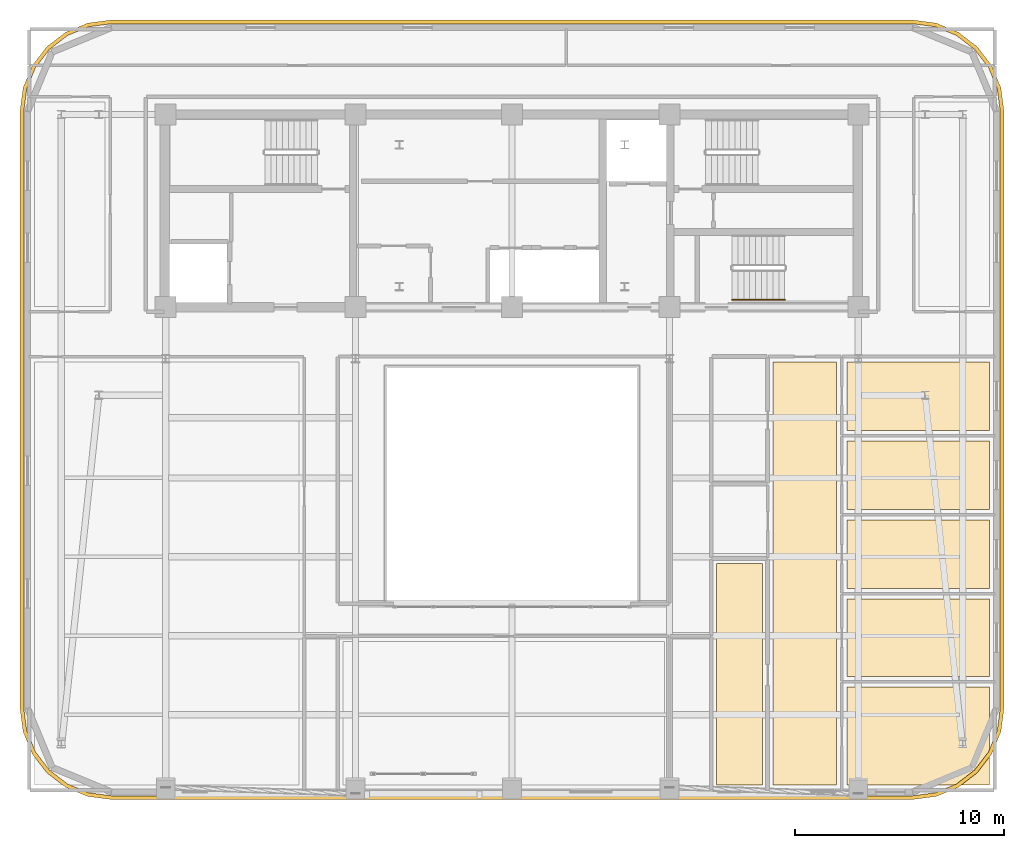
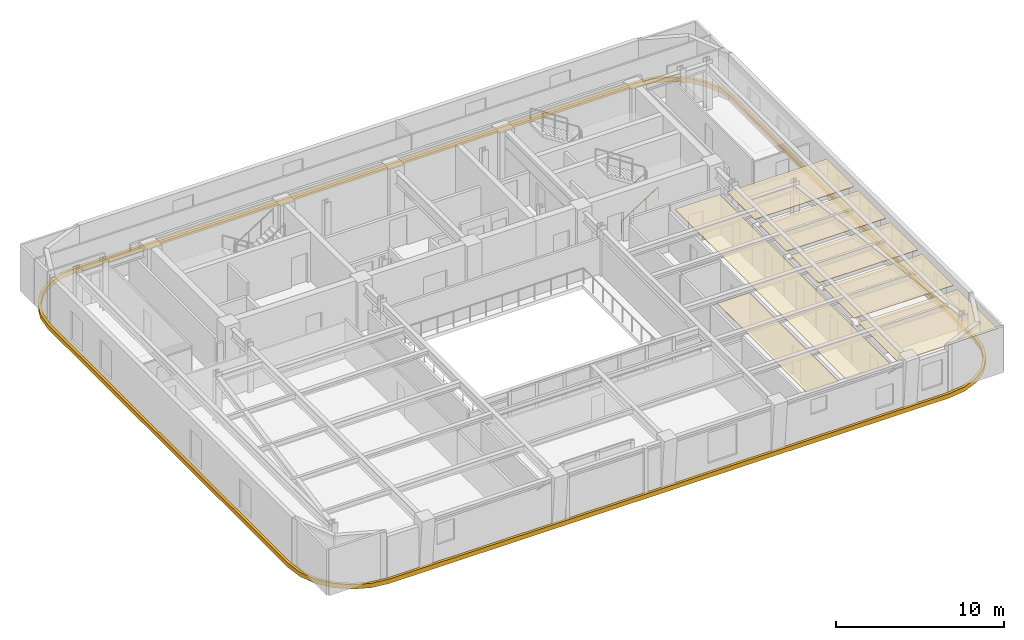
# One storey, part 12 of 13: 8 coverings, 1 railing.
"""IFC4 building model written with IfcOpenShell, lengths in metres."""

from ifc_helpers import new_model, si_unit, direction, frame, origin, origin_2d, place, context, subcontext, project, spatial, polyline, rectangle, outline, extrude, material, layer, layer_set, type_object, element, save


model = new_model("IFC4")

# Units and contexts
model_context = context("Model", 3, precision=1e-05, world=origin(), true_north=direction((0.0, 1.0)))
body_context = subcontext(model_context, "Body", "Model", "MODEL_VIEW")
ifc_project = project(units=[si_unit("LENGTHUNIT", "METRE"), si_unit("AREAUNIT", "SQUARE_METRE"), si_unit("VOLUMEUNIT", "CUBIC_METRE"), si_unit("PLANEANGLEUNIT", "RADIAN"), si_unit("MASSUNIT", "GRAM", prefix="KILO")], contexts=[model_context])

# Site, building, storey
site_placement = place(None, origin())
site = spatial("IfcSite", under=ifc_project, at=site_placement, CompositionType="ELEMENT")
building_placement = place(site_placement, origin())
building = spatial("IfcBuilding", under=site, at=building_placement, Name="Zarnavel Station Tower", CompositionType="ELEMENT")
storey_placement = place(building_placement, frame((0.0, 0.0, 236.39990234375)))
storey = spatial("IfcBuildingStorey", under=building, at=storey_placement, Name="L64", CompositionType="ELEMENT", Elevation=236.39990234375)

# Coverings
ifc_material_1 = material(Name="Perforated Gypsum and Mineral-Wool Acoustic Ceiling", Category="concrete")
ifc_layer = layer(ifc_material_1, 0.0400390625)
ifc_layer_set = layer_set([ifc_layer], Name="COV_CEIL_ACOUSTIC")
covering_type_1 = type_object("IfcCoveringType", Name="COV_CEIL_ACOUSTIC", PredefinedType="CEILING", material=ifc_layer_set)
covering_1_placement = place(storey_placement, frame((0.0, 0.0, 3.02001953125)))
element("IfcCovering", 1, at=covering_1_placement, inside=storey, type_object=covering_type_1, Name="L64 UE1LV Acoustic Ceiling", PredefinedType="CEILING", context=body_context, shape_type="SweptSolid", body=[
    extrude(outline(polyline([(41.300048828125, 4.909912109375), (44.35888671875, 4.909912109375), (44.35888671875, 25.199951171875), (41.300048828125, 25.199951171875), (41.300048828125, 4.909912109375)])), origin(), (0.0, 0.0, 1.0), 0.0400390625),
])
covering_2_placement = place(storey_placement, frame((0.0, 0.0, 3.02001953125)))
element("IfcCovering", 2, at=covering_2_placement, inside=storey, type_object=covering_type_1, Name="L64 UE1KT Acoustic Ceiling", PredefinedType="CEILING", context=body_context, shape_type="SweptSolid", body=[
    extrude(outline(polyline([(38.60009765625, 4.909912109375), (40.800048828125, 4.909912109375), (40.800048828125, 15.52099609375), (38.60009765625, 15.52099609375), (38.60009765625, 4.909912109375)])), origin(), (0.0, 0.0, 1.0), 0.0400390625),
])
covering_3_placement = place(storey_placement, frame((0.0, 0.0, 3.02001953125)))
element("IfcCovering", 3, at=covering_3_placement, inside=storey, type_object=covering_type_1, Name="L64 UE1B1 Acoustic Ceiling", PredefinedType="CEILING", context=body_context, shape_type="SweptSolid", body=[
    extrude(outline(polyline([(44.85888671875, 4.909912109375), (51.68994140625, 4.909912109375), (51.68994140625, 9.60693359375), (44.85888671875, 9.60693359375), (44.85888671875, 4.909912109375)])), origin(), (0.0, 0.0, 1.0), 0.0400390625),
])
covering_4_placement = place(storey_placement, frame((0.0, 0.0, 3.02001953125)))
element("IfcCovering", 4, at=covering_4_placement, inside=storey, type_object=covering_type_1, Name="L64 UE1B2 Acoustic Ceiling", PredefinedType="CEILING", context=body_context, shape_type="SweptSolid", body=[
    extrude(outline(polyline([(44.85888671875, 10.10693359375), (51.68994140625, 10.10693359375), (51.68994140625, 13.8349609375), (44.85888671875, 13.8349609375), (44.85888671875, 10.10693359375)])), origin(), (0.0, 0.0, 1.0), 0.0400390625),
])
covering_5_placement = place(storey_placement, frame((0.0, 0.0, 3.02001953125)))
element("IfcCovering", 5, at=covering_5_placement, inside=storey, type_object=covering_type_1, Name="L64 UE1B3 Acoustic Ceiling", PredefinedType="CEILING", context=body_context, shape_type="SweptSolid", body=[
    extrude(outline(polyline([(44.85888671875, 14.3349609375), (51.68994140625, 14.3349609375), (51.68994140625, 17.623046875), (44.85888671875, 17.623046875), (44.85888671875, 14.3349609375)])), origin(), (0.0, 0.0, 1.0), 0.0400390625),
])
covering_6_placement = place(storey_placement, frame((0.0, 0.0, 3.02001953125)))
element("IfcCovering", 6, at=covering_6_placement, inside=storey, type_object=covering_type_1, Name="L64 UE1B4 Acoustic Ceiling", PredefinedType="CEILING", context=body_context, shape_type="SweptSolid", body=[
    extrude(outline(polyline([(44.85888671875, 18.123046875), (51.68994140625, 18.123046875), (51.68994140625, 21.410888671875), (44.85888671875, 21.410888671875), (44.85888671875, 18.123046875)])), origin(), (0.0, 0.0, 1.0), 0.0400390625),
])
covering_7_placement = place(storey_placement, frame((0.0, 0.0, 3.02001953125)))
element("IfcCovering", 7, at=covering_7_placement, inside=storey, type_object=covering_type_1, Name="L64 UE1B5 Acoustic Ceiling", PredefinedType="CEILING", context=body_context, shape_type="SweptSolid", body=[
    extrude(outline(polyline([(44.85888671875, 21.910888671875), (51.68994140625, 21.910888671875), (51.68994140625, 25.199951171875), (44.85888671875, 25.199951171875), (44.85888671875, 21.910888671875)])), origin(), (0.0, 0.0, 1.0), 0.0400390625),
])
ifc_material_2 = material(Name="Precast concrete C45/55 (Pale Travertine Slab Band)", Category="masonry")
covering_type_2 = type_object("IfcCoveringType", Name="COV_TRAVERTINE_BAND", PredefinedType="CLADDING", material=ifc_material_2)
covering_8_placement = place(storey_placement, frame((0.0, 0.0, -0.260009765625)))
element("IfcCovering", 8, at=covering_8_placement, inside=storey, type_object=covering_type_2, Name="L64 Pale Travertine Slab-Edge Band", PredefinedType="CLADDING", context=body_context, shape_type="SweptSolid", body=[
    extrude(outline(polyline([(48.0, 4.219970703125), (49.133544921875, 4.369140625), (50.18994140625, 4.806884765625), (51.09716796875, 5.5029296875), (51.793212890625, 6.409912109375), (52.230712890625, 7.46630859375), (52.3798828125, 8.60009765625), (52.3798828125, 37.199951171875), (52.230712890625, 38.33349609375), (51.793212890625, 39.389892578125), (51.09716796875, 40.297119140625), (50.18994140625, 40.9931640625), (49.133544921875, 41.430908203125), (48.0, 41.580078125), (9.60009765625, 41.580078125), (8.46630859375, 41.430908203125), (7.409912109375, 40.9931640625), (6.5029296875, 40.297119140625), (5.806884765625, 39.389892578125), (5.369140625, 38.33349609375), (5.219970703125, 37.199951171875), (5.219970703125, 8.60009765625), (5.369140625, 7.46630859375), (5.806884765625, 6.409912109375), (6.5029296875, 5.5029296875), (7.409912109375, 4.806884765625), (8.46630859375, 4.369140625), (9.60009765625, 4.219970703125), (48.0, 4.219970703125)]), holes=[polyline([(48.0, 4.39990234375), (49.0869140625, 4.543212890625), (50.10009765625, 4.962646484375), (50.9697265625, 5.630126953125), (51.63720703125, 6.5), (52.056884765625, 7.512939453125), (52.199951171875, 8.60009765625), (52.199951171875, 37.199951171875), (52.056884765625, 38.287109375), (51.63720703125, 39.300048828125), (50.9697265625, 40.169921875), (50.10009765625, 40.83740234375), (49.0869140625, 41.2568359375), (48.0, 41.39990234375), (9.60009765625, 41.39990234375), (8.512939453125, 41.2568359375), (7.5, 40.83740234375), (6.630126953125, 40.169921875), (5.962646484375, 39.300048828125), (5.543212890625, 38.287109375), (5.39990234375, 37.199951171875), (5.39990234375, 8.60009765625), (5.543212890625, 7.512939453125), (5.962646484375, 6.5), (6.630126953125, 5.630126953125), (7.5, 4.962646484375), (8.512939453125, 4.543212890625), (9.60009765625, 4.39990234375), (48.0, 4.39990234375)])]), origin(), (0.0, 0.0, 1.0), 0.320068359375),
])

# Railing
ifc_material_3 = material(Name="Brushed Stainless Steel S355J2 Handrail", Category="steel")
railing_type = type_object("IfcRailingType", Name="HR_STAIR_900", PredefinedType="HANDRAIL", material=ifc_material_3)
railing_placement = place(storey_placement, frame((39.35009765625, 28.169921875, 0.18017578125)))
element("IfcRailing", 9, at=railing_placement, inside=storey, type_object=railing_type, Name="L64 ST3 stair handrail 1", PredefinedType="HANDRAIL", context=body_context, shape_type="SweptSolid", body=[
    extrude(rectangle(XDim=0.048095703125, YDim=0.048095703125, at=origin_2d()), frame((0.001708984375, 0.0, 0.876953125), z_axis=(0.841199657755, 0.0, 0.540724639528), x_axis=(0.0, 1.0, 0.0)), (0.0, 0.0, 1.0), 2.99169921875),
    extrude(rectangle(XDim=0.0419921875, YDim=0.0419921875, at=origin_2d()), origin(), (0.0, 0.0, 1.0), 0.851806640625),
    extrude(rectangle(XDim=0.0419921875, YDim=0.0419921875, at=origin_2d()), frame((0.840087890625, 0.0, 0.5400390625)), (0.0, 0.0, 1.0), 0.851806640625),
    extrude(rectangle(XDim=0.0419921875, YDim=0.0419921875, at=origin_2d()), frame((1.679931640625, 0.0, 1.079833984375)), (0.0, 0.0, 1.0), 0.851806640625),
    extrude(rectangle(XDim=0.0419921875, YDim=0.0419921875, at=origin_2d()), frame((2.52001953125, 0.0, 1.619873046875)), (0.0, 0.0, 1.0), 0.851806640625),
])

save(model, "model.ifc")
